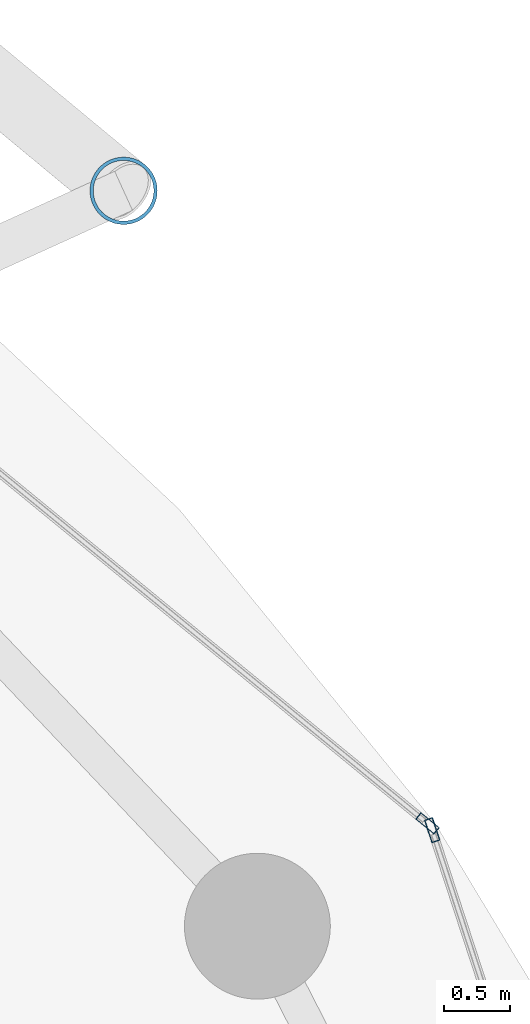
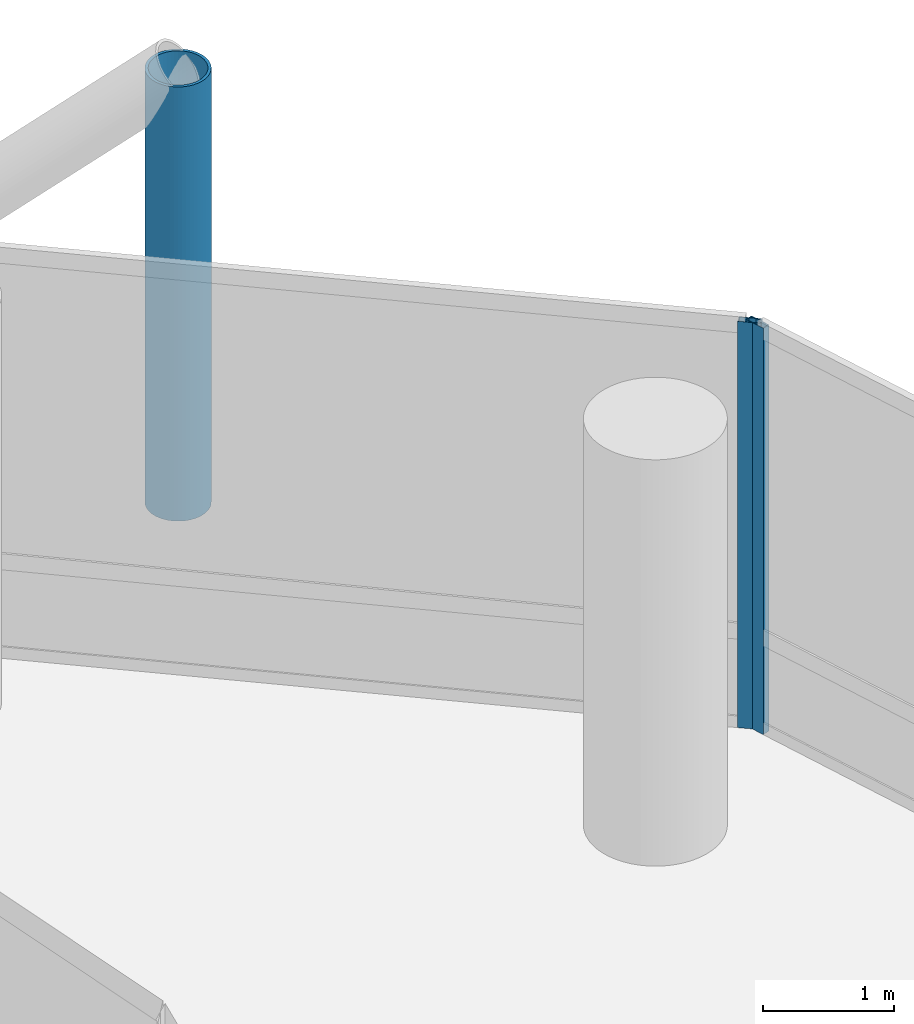
# One storey, part 19 of 25: 3 members, 2 elements without a shape of their own.
"""IFC4 building model written with IfcOpenShell, lengths in metres."""

import ifcopenshell
import ifcopenshell.guid

model = None  # the IFC model being written
_history = None  # IfcOwnerHistory: only IFC2X3 demands one
_inside = {}  # id of a spatial element -> (the spatial element, [elements in it])
_under = {}  # id of a project, library or spatial element -> (it, [spatial elements below it])
_declared = {}  # id of a project -> (the project, [libraries it declares])
_typed = {}  # id of a type object -> (the type object, [elements of that type])
_made_of = {}  # id of a material, layer set ... -> (it, [elements and type objects made of it])


def new_model(schema):
    """Start an empty IFC model of exactly this schema.

    Asked for "IFC4X3", IfcOpenShell would pick the latest addendum, in which some entities
    have other attributes; the version numbers below select the first issue.
    IFC2X3 requires an IfcOwnerHistory on every rooted entity: one is made here for all.
    """
    global model, _history
    if schema == "IFC4X3":
        model = ifcopenshell.file(schema_version=(4, 3, 0, 0))
    else:
        model = ifcopenshell.file(schema=schema)
    _inside.clear()
    _under.clear()
    _declared.clear()
    _typed.clear()
    _made_of.clear()
    _history = None
    if model.schema == "IFC2X3":
        org = make("IfcOrganization", Name="unknown")
        user = make(
            "IfcPersonAndOrganization",
            ThePerson=make("IfcPerson", FamilyName="unknown"),
            TheOrganization=org,
        )
        app = make(
            "IfcApplication",
            ApplicationDeveloper=org,
            Version="unknown",
            ApplicationFullName="unknown",
            ApplicationIdentifier="unknown",
        )
        _history = make(
            "IfcOwnerHistory",
            OwningUser=user,
            OwningApplication=app,
            ChangeAction="ADDED",
            CreationDate=0,
        )
    return model


def make(cls, **values):
    """One entity of the class cls with the attributes given. An attribute that is None is left unset."""
    return model.create_entity(
        cls, **{name: value for name, value in values.items() if value is not None}
    )


def rooted(cls, **values):
    """An entity with a GlobalId (a new one), such as an element, a storey or a relation."""
    return make(cls, GlobalId=ifcopenshell.guid.new(), OwnerHistory=_history, **values)


def si_unit(unit_type, name, prefix=None):
    """IfcSIUnit, for example si_unit("LENGTHUNIT", "METRE", prefix="MILLI")."""
    return make("IfcSIUnit", UnitType=unit_type, Prefix=prefix, Name=name)


def assignment(units):
    """IfcUnitAssignment: the units of a project."""
    return None if units is None else make("IfcUnitAssignment", Units=units)


def point(xyz):
    """IfcCartesianPoint."""
    return None if xyz is None else make("IfcCartesianPoint", Coordinates=xyz)


def direction(xyz):
    """IfcDirection."""
    return None if xyz is None else make("IfcDirection", DirectionRatios=xyz)


def frame(location, z_axis=None, x_axis=None):
    """IfcAxis2Placement3D, a coordinate frame: its origin and axes. An axis left out is left unset."""
    return make(
        "IfcAxis2Placement3D",
        Location=point(location),
        Axis=direction(z_axis),
        RefDirection=direction(x_axis),
    )


def frame_2d(location, x_axis=None):
    """IfcAxis2Placement2D, a coordinate frame in the plane: its origin and x axis."""
    return make(
        "IfcAxis2Placement2D", Location=point(location), RefDirection=direction(x_axis)
    )


def origin():
    """The frame at (0, 0, 0) with its axes left unset."""
    return frame((0.0, 0.0, 0.0))


def origin_2d():
    """The frame at (0, 0) in the plane with its x axis left unset."""
    return frame_2d((0.0, 0.0))


def place(relative_to, where):
    """IfcLocalPlacement: puts the frame where relative to a parent placement (None: the world)."""
    return make(
        "IfcLocalPlacement", PlacementRelTo=relative_to, RelativePlacement=where
    )


def context(
    kind, dimensions, precision=None, world=None, true_north=None, identifier=None
):
    """IfcGeometricRepresentationContext, for example the 3D "Model" context."""
    return make(
        "IfcGeometricRepresentationContext",
        ContextIdentifier=identifier,
        ContextType=kind,
        CoordinateSpaceDimension=dimensions,
        Precision=precision,
        WorldCoordinateSystem=world,
        TrueNorth=true_north,
    )


def subcontext(parent, identifier, kind, view, scale=None):
    """IfcGeometricRepresentationSubContext, for example "Body" below "Model"."""
    return make(
        "IfcGeometricRepresentationSubContext",
        ContextIdentifier=identifier,
        ContextType=kind,
        ParentContext=parent,
        TargetScale=scale,
        TargetView=view,
    )


def project(units=None, contexts=None):
    """IfcProject with its units and contexts."""
    return rooted(
        "IfcProject",
        Name="project",
        RepresentationContexts=contexts,
        UnitsInContext=assignment(units),
    )


def spatial(cls, under=None, at=None, **own):
    """A site, building, storey or space (cls), placed at a placement, below another one or the project."""
    s = rooted(cls, ObjectPlacement=at, **own)
    if under is not None:
        _under.setdefault(under.id(), (under, []))[1].append(s)
    return s


def profile(cls, at=None, kind="AREA", **sizes):
    """A parametric profile (cls). Its sizes go by their IFC names, for example OverallWidth=200.0."""
    return make(cls, ProfileType=kind, Position=at, **sizes)


def hollow_rectangle(**sizes):
    """IfcRectangleHollowProfileDef."""
    return profile("IfcRectangleHollowProfileDef", **sizes)


def hollow_circle(**sizes):
    """IfcCircleHollowProfileDef."""
    return profile("IfcCircleHollowProfileDef", **sizes)


def extrude(swept, where, along, depth):
    """IfcExtrudedAreaSolid: the profile swept, set in the frame where, extruded along a direction by depth."""
    return make(
        "IfcExtrudedAreaSolid",
        SweptArea=swept,
        Position=where,
        ExtrudedDirection=direction(along),
        Depth=depth,
    )


def shape(context_of_items, identifier, shape_type, items):
    """IfcShapeRepresentation: the items that make up one representation, for example the "Body"."""
    return make(
        "IfcShapeRepresentation",
        ContextOfItems=context_of_items,
        RepresentationIdentifier=identifier,
        RepresentationType=shape_type,
        Items=items,
    )


def material(Name=None, Category=None):
    """IfcMaterial."""
    return make("IfcMaterial", Name=Name, Category=Category)


def layer(
    of_material, thickness, ventilated=None, Name=None, Category=None, Priority=None
):
    """IfcMaterialLayer: one layer of a wall or slab, of a material (None: an air gap)."""
    return make(
        "IfcMaterialLayer",
        Material=of_material,
        LayerThickness=thickness,
        IsVentilated=ventilated,
        Name=Name,
        Category=Category,
        Priority=Priority,
    )


def layer_set(layers, Name=None):
    """IfcMaterialLayerSet."""
    return make("IfcMaterialLayerSet", MaterialLayers=layers, LayerSetName=Name)


def material_profile(
    of_material, cross_section, Name=None, Category=None, Priority=None
):
    """IfcMaterialProfile: a cross section and its material."""
    return make(
        "IfcMaterialProfile",
        Name=Name,
        Material=of_material,
        Profile=cross_section,
        Priority=Priority,
        Category=Category,
    )


def profile_set(profiles, Name=None, composite=None):
    """IfcMaterialProfileSet."""
    return make(
        "IfcMaterialProfileSet",
        Name=Name,
        MaterialProfiles=profiles,
        CompositeProfile=composite,
    )


def made_of(thing, what):
    """Note that an element or type object is made of a material, layer set ...; save() writes the relation."""
    if what is not None:
        _made_of.setdefault(what.id(), (what, []))[1].append(thing)
    return thing


def type_object(cls, material=None, **own):
    """A type object (cls), such as IfcWallType, which elements share."""
    return made_of(rooted(cls, **own), material)


def element(
    cls,
    number,
    at=None,
    inside=None,
    cuts=None,
    type_object=None,
    material=None,
    context=None,
    identifier="Body",
    shape_type=None,
    held_by="IfcProductDefinitionShape",
    body=None,
    shapes=None,
    **own,
):
    """One element of the class cls, such as IfcWall. Its Tag is "e" and its number.

    at: its placement. inside: the storey or other place that contains it. cuts: it is an
    opening in that element (IfcRelVoidsElement). A single representation is given by context,
    identifier, shape_type and body (its items); several are given by shapes. held_by: the class
    of the entity that holds the representations. save() writes the other relations.
    """
    e = rooted(cls, Tag="e%d" % number, ObjectPlacement=at, **own)
    if body is not None:
        shapes = [shape(context, identifier, shape_type, body)]
    if shapes is not None:
        e.Representation = make(held_by, Representations=shapes)
    if inside is not None:
        _inside.setdefault(inside.id(), (inside, []))[1].append(e)
    if cuts is not None:
        rooted(
            "IfcRelVoidsElement", RelatingBuildingElement=cuts, RelatedOpeningElement=e
        )
    if type_object is not None:
        _typed.setdefault(type_object.id(), (type_object, []))[1].append(e)
    return made_of(e, material)


def aggregate(whole, parts):
    """IfcRelAggregates: a whole, such as a stair, and the parts it consists of."""
    return rooted("IfcRelAggregates", RelatingObject=whole, RelatedObjects=parts)


def save(model, path):
    """Write the relations noted so far, then the file.

    IfcRelAggregates (storeys below a building ...), IfcRelContainedInSpatialStructure (elements
    in a storey), IfcRelDefinesByType, IfcRelAssociatesMaterial and IfcRelDeclares: one each for
    every whole, place, type object, material and project.
    """
    for whole, parts in _under.values():
        aggregate(whole, parts)
    for where, things in _inside.values():
        rooted(
            "IfcRelContainedInSpatialStructure",
            RelatedElements=things,
            RelatingStructure=where,
        )
    for kind, things in _typed.values():
        rooted("IfcRelDefinesByType", RelatedObjects=things, RelatingType=kind)
    for what, things in _made_of.values():
        rooted("IfcRelAssociatesMaterial", RelatedObjects=things, RelatingMaterial=what)
    for by, libraries in _declared.values():
        rooted("IfcRelDeclares", RelatingContext=by, RelatedDefinitions=libraries)
    model.write(path)


model = new_model("IFC4")

# Units and contexts
model_context = context("Model", 3, precision=1e-05, world=origin(), true_north=direction((0.0, 1.0)))
body_context = subcontext(model_context, "Body", "Model", "MODEL_VIEW")
ifc_project = project(units=[si_unit("LENGTHUNIT", "METRE"), si_unit("AREAUNIT", "SQUARE_METRE"), si_unit("VOLUMEUNIT", "CUBIC_METRE"), si_unit("PLANEANGLEUNIT", "RADIAN"), si_unit("MASSUNIT", "GRAM", prefix="KILO")], contexts=[model_context])

# Site, building, storey
site_placement = place(None, origin())
site = spatial("IfcSite", under=ifc_project, at=site_placement, CompositionType="ELEMENT")
building_placement = place(site_placement, origin())
building = spatial("IfcBuilding", under=site, at=building_placement, Name="Nuhasar Tower", CompositionType="ELEMENT")
storey_placement = place(building_placement, frame((0.0, 0.0, 49.35009765625)))
storey = spatial("IfcBuildingStorey", under=building, at=storey_placement, Name="L11", CompositionType="ELEMENT", Elevation=49.35009765625)

# Curtain wall, member
ifc_material_1 = material(Name="Aluminium 6063-T6", Category="aluminium")
ifc_layer = layer(ifc_material_1, 0.199951171875)
ifc_layer_set = layer_set([ifc_layer], Name="Aluminium 6063-T6")
curtain_wall_type = type_object("IfcCurtainWallType", Name="CW-Z1-OFF", PredefinedType="NOTDEFINED", material=ifc_layer_set)
curtain_wall_1_placement = place(storey_placement, origin())
curtain_wall_1 = element("IfcCurtainWall", 1, at=curtain_wall_1_placement, inside=storey, type_object=curtain_wall_type, Name="L11 Unitised Curtain Wall 01", PredefinedType="NOTDEFINED")
ifc_material_profile_1 = material_profile(ifc_material_1, hollow_rectangle(XDim=0.06494140625, YDim=0.179931640625, WallThickness=0.0048828125, at=origin_2d()), Name="CWM-2")
ifc_profile_set_1 = profile_set([ifc_material_profile_1], Name="Aluminium 6063-T6")
member_type_1 = type_object("IfcMemberType", Name="CW-MUL-S2", PredefinedType="MULLION", material=ifc_profile_set_1)
member_1_placement = place(storey_placement, frame((62.01220703125, 37.649169921875, 0.0), z_axis=(0.0, 0.0, 1.0), x_axis=(-0.950467534571, -0.310823849997, 0.0)))
member_1 = element("IfcMember", 2, at=member_1_placement, type_object=member_type_1, Name="CW-Z1 mullion 2", PredefinedType="MULLION", context=body_context, shape_type="SweptSolid", body=[
    extrude(hollow_rectangle(XDim=0.06494140625, YDim=0.179931640625, WallThickness=0.0048828125, at=origin_2d()), origin(), (0.0, 0.0, 1.0), 3.789794921875),
])
aggregate(curtain_wall_1, [member_1])

curtain_wall_2_placement = place(storey_placement, origin())
curtain_wall_2 = element("IfcCurtainWall", 3, at=curtain_wall_2_placement, inside=storey, type_object=curtain_wall_type, Name="L11 Unitised Curtain Wall 02", PredefinedType="NOTDEFINED")
member_2_placement = place(storey_placement, frame((61.976806640625, 37.70068359375, 0.0), z_axis=(0.0, 0.0, 1.0), x_axis=(-0.633744593376, -0.773542364946, 0.0)))
member_2 = element("IfcMember", 4, at=member_2_placement, type_object=member_type_1, Name="CW-Z1 mullion 1", PredefinedType="MULLION", context=body_context, shape_type="SweptSolid", body=[
    extrude(hollow_rectangle(XDim=0.06494140625, YDim=0.179931640625, WallThickness=0.0048828125, at=origin_2d()), origin(), (0.0, 0.0, 1.0), 3.789794921875),
])
aggregate(curtain_wall_2, [member_2])

# Member
ifc_material_2 = material(Name="Steel S460", Category="steel")
ifc_material_profile_2 = material_profile(ifc_material_2, hollow_circle(Radius=0.25390625, WallThickness=0.025390625, at=origin_2d()), Name="HSS508X25.4")
ifc_profile_set_2 = profile_set([ifc_material_profile_2], Name="Steel S460")
member_type_2 = type_object("IfcMemberType", Name="EXO-BRONZE-508", PredefinedType="BRACE", material=ifc_profile_set_2)
member_3_placement = place(storey_placement, frame((59.68505859375, 42.470947265625, 0.0), z_axis=(0.0, 0.0, 1.0), x_axis=(1.0, 0.0, 0.0)))
element("IfcMember", 5, at=member_3_placement, inside=storey, type_object=member_type_2, Name="L11 Exoskeleton Chord Column EC-02A", PredefinedType="BRACE", context=body_context, shape_type="SweptSolid", body=[
    extrude(hollow_circle(Radius=0.25390625, WallThickness=0.025390625, at=origin_2d()), origin(), (0.0, 0.0, 1.0), 4.0498046875),
])

save(model, "model.ifc")
